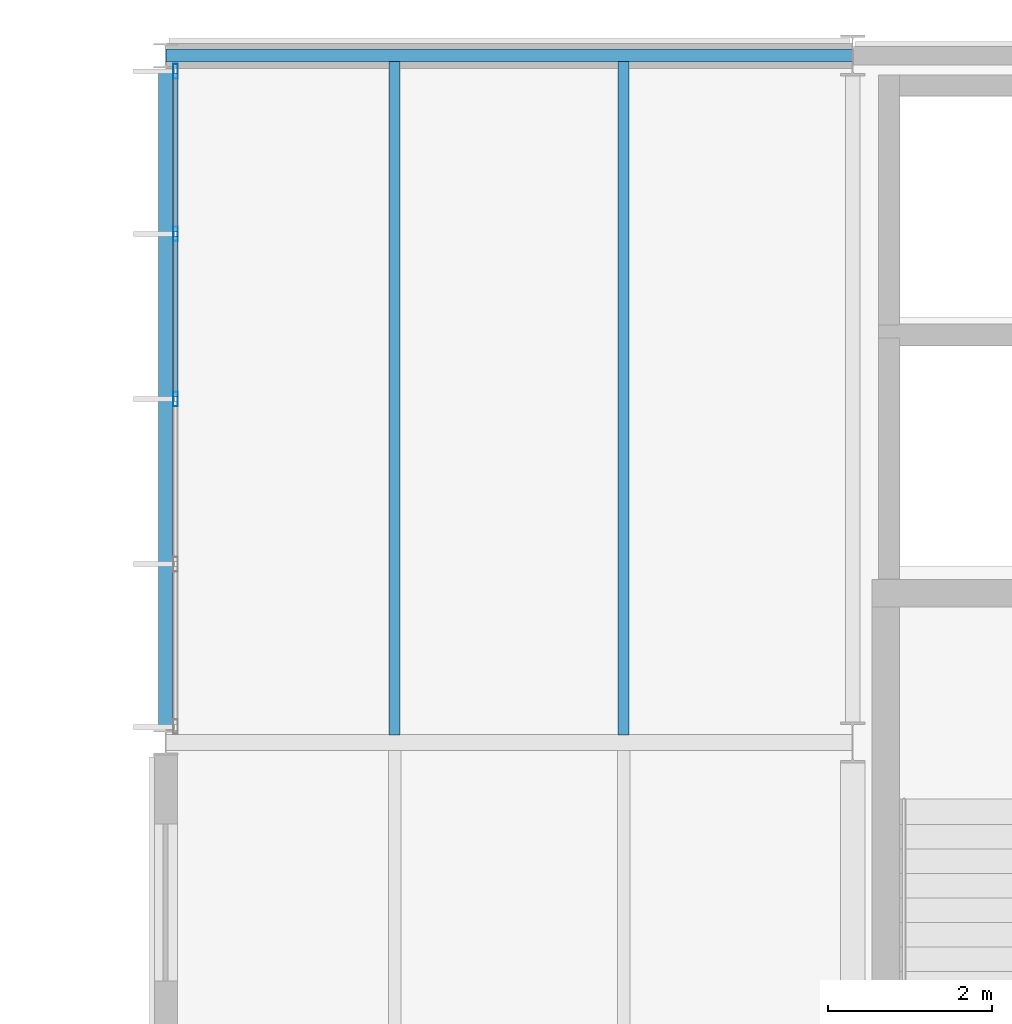
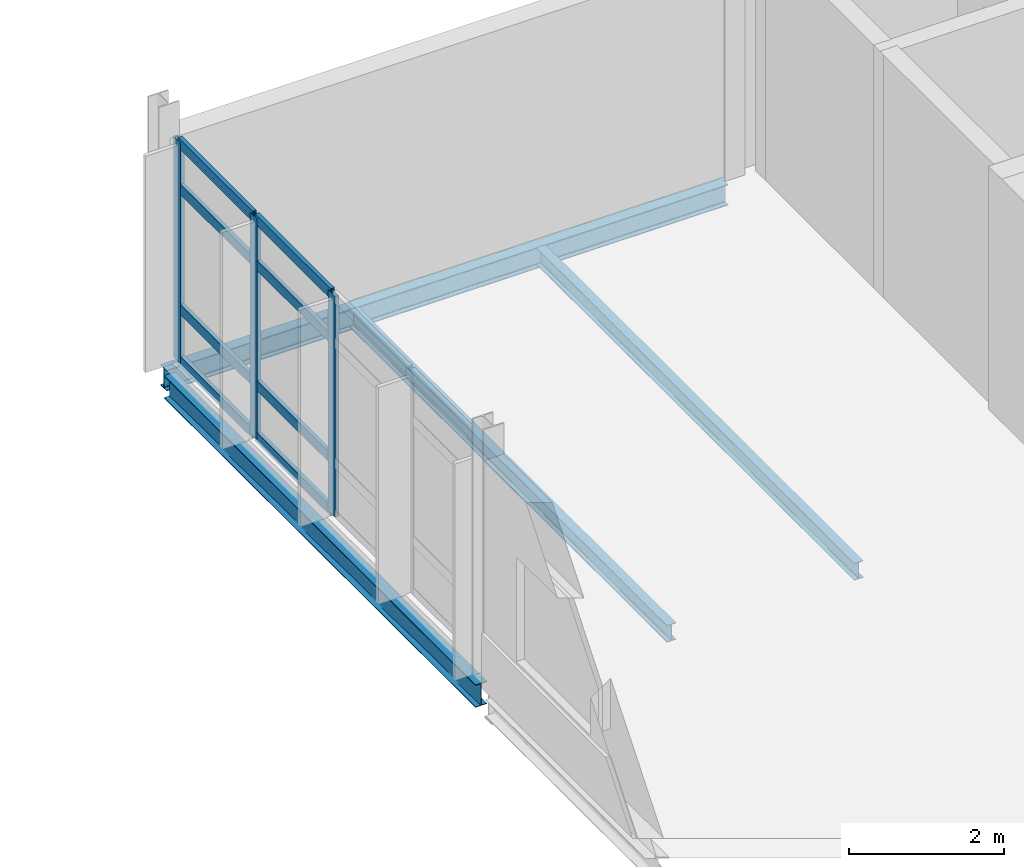
# One storey, part 50 of 151: 11 members, 4 beams, 1 element without a shape of its own.
"""IFC4 building model written with IfcOpenShell, lengths in metres."""

from ifc_helpers import new_model, si_unit, direction, frame, origin, origin_2d, place, context, subcontext, project, spatial, hollow_rectangle, i_section, extrude, material, material_profile, profile_set, type_object, element, aggregate, save


model = new_model("IFC4")

# Units and contexts
model_context = context("Model", 3, precision=1e-05, world=origin(), true_north=direction((0.0, 1.0)))
body_context = subcontext(model_context, "Body", "Model", "MODEL_VIEW")
ifc_project = project(units=[si_unit("LENGTHUNIT", "METRE"), si_unit("AREAUNIT", "SQUARE_METRE"), si_unit("VOLUMEUNIT", "CUBIC_METRE"), si_unit("PLANEANGLEUNIT", "RADIAN"), si_unit("MASSUNIT", "GRAM", prefix="KILO")], contexts=[model_context])

# Site, building, storey
site_placement = place(None, origin())
site = spatial("IfcSite", under=ifc_project, at=site_placement, CompositionType="ELEMENT")
building_placement = place(site_placement, origin())
building = spatial("IfcBuilding", under=site, at=building_placement, Name="Mersafa Astral City Hall", CompositionType="ELEMENT")
storey_placement = place(building_placement, frame((0.0, 0.0, 9.89990234375)))
storey = spatial("IfcBuildingStorey", under=building, at=storey_placement, Name="L02", CompositionType="ELEMENT", Elevation=9.89990234375)

# Curtain wall, members
ifc_material_1 = material(Name="Anodised bronze aluminium framing", Category="aluminium")
curtain_wall_type = type_object("IfcCurtainWallType", Name="ENV-CW-5", PredefinedType="USERDEFINED", material=ifc_material_1)
curtain_wall_placement = place(storey_placement, origin())
curtain_wall = element("IfcCurtainWall", 1, at=curtain_wall_placement, inside=storey, type_object=curtain_wall_type, Name="L02 Unitised solar curtain wall 130", ObjectType="UNITISED CURTAIN WALL", PredefinedType="USERDEFINED")
ifc_material_profile_1 = material_profile(ifc_material_1, hollow_rectangle(XDim=0.06005859375, YDim=0.179931640625, WallThickness=0.00390625, at=origin_2d()), Name="RHS 60x180x4")
ifc_profile_set_1 = profile_set([ifc_material_profile_1], Name="Anodised bronze aluminium framing")
member_type_1 = type_object("IfcMemberType", Name="ENV-CW-MUL-1", PredefinedType="MULLION", material=ifc_profile_set_1)
member_1_placement = place(storey_placement, frame((33.719970703125, 125.80810546875, -0.001953125), z_axis=(0.0, 0.0, 1.0), x_axis=(1.0, 0.0, 0.0)))
member_1 = element("IfcMember", 2, at=member_1_placement, type_object=member_type_1, Name="CW-5 mullion 1", PredefinedType="MULLION", context=body_context, shape_type="SweptSolid", body=[
    extrude(hollow_rectangle(XDim=0.06005859375, YDim=0.179931640625, WallThickness=0.00390625, at=origin_2d()), origin(), (0.0, 0.0, 1.0), 3.489013671875),
])
member_2_placement = place(storey_placement, frame((33.719970703125, 123.819091796875, -0.001953125), z_axis=(0.0, 0.0, 1.0), x_axis=(1.0, 0.0, 0.0)))
member_2 = element("IfcMember", 3, at=member_2_placement, type_object=member_type_1, Name="CW-5 mullion 2", PredefinedType="MULLION", context=body_context, shape_type="SweptSolid", body=[
    extrude(hollow_rectangle(XDim=0.06005859375, YDim=0.179931640625, WallThickness=0.00390625, at=origin_2d()), origin(), (0.0, 0.0, 1.0), 3.489013671875),
])
member_3_placement = place(storey_placement, frame((33.719970703125, 121.800048828125, -0.001953125), z_axis=(0.0, 0.0, 1.0), x_axis=(1.0, 0.0, 0.0)))
member_3 = element("IfcMember", 4, at=member_3_placement, type_object=member_type_1, Name="CW-5 mullion 3", PredefinedType="MULLION", context=body_context, shape_type="SweptSolid", body=[
    extrude(hollow_rectangle(XDim=0.06005859375, YDim=0.179931640625, WallThickness=0.00390625, at=origin_2d()), origin(), (0.0, 0.0, 1.0), 3.489013671875),
])
ifc_material_profile_2 = material_profile(ifc_material_1, hollow_rectangle(XDim=0.06005859375, YDim=0.159912109375, WallThickness=0.00390625, at=origin_2d()), Name="RHS 60x160x4")
ifc_profile_set_2 = profile_set([ifc_material_profile_2], Name="Anodised bronze aluminium framing")
member_type_2 = type_object("IfcMemberType", Name="ENV-CW-TRN-2", PredefinedType="USERDEFINED", material=ifc_profile_set_2)
member_4_placement = place(storey_placement, frame((33.719970703125, 125.778076171875, 0.028076171875), z_axis=(0.0, -1.0, 0.0), x_axis=(1.0, 0.0, 0.0)))
member_4 = element("IfcMember", 5, at=member_4_placement, type_object=member_type_2, Name="CW-5 transom 1.1", ObjectType="TRANSOM", PredefinedType="USERDEFINED", context=body_context, shape_type="SweptSolid", body=[
    extrude(hollow_rectangle(XDim=0.06005859375, YDim=0.159912109375, WallThickness=0.00390625, at=origin_2d()), origin(), (0.0, 0.0, 1.0), 1.928955078125),
])
member_5_placement = place(storey_placement, frame((33.719970703125, 125.778076171875, 0.85009765625), z_axis=(0.0, -1.0, 0.0), x_axis=(1.0, 0.0, 0.0)))
member_5 = element("IfcMember", 6, at=member_5_placement, type_object=member_type_2, Name="CW-5 transom 1.2", ObjectType="TRANSOM", PredefinedType="USERDEFINED", context=body_context, shape_type="SweptSolid", body=[
    extrude(hollow_rectangle(XDim=0.06005859375, YDim=0.159912109375, WallThickness=0.00390625, at=origin_2d()), origin(), (0.0, 0.0, 1.0), 1.928955078125),
])
member_6_placement = place(storey_placement, frame((33.719970703125, 125.778076171875, 2.75), z_axis=(0.0, -1.0, 0.0), x_axis=(1.0, 0.0, 0.0)))
member_6 = element("IfcMember", 7, at=member_6_placement, type_object=member_type_2, Name="CW-5 transom 1.3", ObjectType="TRANSOM", PredefinedType="USERDEFINED", context=body_context, shape_type="SweptSolid", body=[
    extrude(hollow_rectangle(XDim=0.06005859375, YDim=0.159912109375, WallThickness=0.00390625, at=origin_2d()), origin(), (0.0, 0.0, 1.0), 1.928955078125),
])
member_7_placement = place(storey_placement, frame((33.719970703125, 125.778076171875, 3.45703125), z_axis=(0.0, -1.0, 0.0), x_axis=(1.0, 0.0, 0.0)))
member_7 = element("IfcMember", 8, at=member_7_placement, type_object=member_type_2, Name="CW-5 transom 1.4", ObjectType="TRANSOM", PredefinedType="USERDEFINED", context=body_context, shape_type="SweptSolid", body=[
    extrude(hollow_rectangle(XDim=0.06005859375, YDim=0.159912109375, WallThickness=0.00390625, at=origin_2d()), origin(), (0.0, 0.0, 1.0), 1.928955078125),
])
member_8_placement = place(storey_placement, frame((33.719970703125, 123.7890625, 0.028076171875), z_axis=(0.0, -1.0, 0.0), x_axis=(1.0, 0.0, 0.0)))
member_8 = element("IfcMember", 9, at=member_8_placement, type_object=member_type_2, Name="CW-5 transom 2.1", ObjectType="TRANSOM", PredefinedType="USERDEFINED", context=body_context, shape_type="SweptSolid", body=[
    extrude(hollow_rectangle(XDim=0.06005859375, YDim=0.159912109375, WallThickness=0.00390625, at=origin_2d()), origin(), (0.0, 0.0, 1.0), 1.958984375),
])
member_9_placement = place(storey_placement, frame((33.719970703125, 123.7890625, 0.85009765625), z_axis=(0.0, -1.0, 0.0), x_axis=(1.0, 0.0, 0.0)))
member_9 = element("IfcMember", 10, at=member_9_placement, type_object=member_type_2, Name="CW-5 transom 2.2", ObjectType="TRANSOM", PredefinedType="USERDEFINED", context=body_context, shape_type="SweptSolid", body=[
    extrude(hollow_rectangle(XDim=0.06005859375, YDim=0.159912109375, WallThickness=0.00390625, at=origin_2d()), origin(), (0.0, 0.0, 1.0), 1.958984375),
])
member_10_placement = place(storey_placement, frame((33.719970703125, 123.7890625, 2.75), z_axis=(0.0, -1.0, 0.0), x_axis=(1.0, 0.0, 0.0)))
member_10 = element("IfcMember", 11, at=member_10_placement, type_object=member_type_2, Name="CW-5 transom 2.3", ObjectType="TRANSOM", PredefinedType="USERDEFINED", context=body_context, shape_type="SweptSolid", body=[
    extrude(hollow_rectangle(XDim=0.06005859375, YDim=0.159912109375, WallThickness=0.00390625, at=origin_2d()), origin(), (0.0, 0.0, 1.0), 1.958984375),
])
member_11_placement = place(storey_placement, frame((33.719970703125, 123.7890625, 3.45703125), z_axis=(0.0, -1.0, 0.0), x_axis=(1.0, 0.0, 0.0)))
member_11 = element("IfcMember", 12, at=member_11_placement, type_object=member_type_2, Name="CW-5 transom 2.4", ObjectType="TRANSOM", PredefinedType="USERDEFINED", context=body_context, shape_type="SweptSolid", body=[
    extrude(hollow_rectangle(XDim=0.06005859375, YDim=0.159912109375, WallThickness=0.00390625, at=origin_2d()), origin(), (0.0, 0.0, 1.0), 1.958984375),
])
aggregate(curtain_wall, [member_1, member_2, member_3, member_4, member_5, member_6, member_7, member_8, member_9, member_10, member_11])

# Beams
ifc_material_2 = material(Name="Steel S355", Category="steel")
ifc_material_profile_3 = material_profile(ifc_material_2, i_section(OverallWidth=0.135009765625, OverallDepth=0.27001953125, WebThickness=0.006591796875, FlangeThickness=0.01025390625, FilletRadius=0.014892578125, at=origin_2d()), Name="IPE 270")
ifc_profile_set_3 = profile_set([ifc_material_profile_3], Name="Steel S355")
beam_type_1 = type_object("IfcBeamType", Name="STR-BM-JOIST-IPE270", PredefinedType="JOIST", material=ifc_profile_set_3)
for number, where, z_axis, x_axis, name in (
    (13, (36.39990234375, 117.695068359375, -0.3349609375), (0.0, 1.0, 0.0), (-1.0, 0.0, 0.0), "L02 Composite secondary floor joist 420"),
    (14, (39.199951171875, 117.695068359375, -0.3349609375), (0.0, 1.0, 0.0), (-1.0, 0.0, 0.0), "L02 Composite secondary floor joist 421"),
):
    element("IfcBeam", number, at=place(storey_placement, frame(where, z_axis=z_axis, x_axis=x_axis)), inside=storey, type_object=beam_type_1, Name=name, PredefinedType="JOIST", context=body_context, shape_type="SweptSolid", body=[
        extrude(i_section(OverallWidth=0.135009765625, OverallDepth=0.27001953125, WebThickness=0.006591796875, FlangeThickness=0.01025390625, FilletRadius=0.014892578125, at=origin_2d()), origin(), (0.0, 0.0, 1.0), 8.22998046875),
    ])
ifc_material_profile_4 = material_profile(ifc_material_2, i_section(OverallWidth=0.159912109375, OverallDepth=0.330078125, WebThickness=0.007568359375, FlangeThickness=0.011474609375, FilletRadius=0.01806640625, at=origin_2d()), Name="IPE 330")
ifc_profile_set_4 = profile_set([ifc_material_profile_4], Name="Steel S355")
beam_type_2 = type_object("IfcBeamType", Name="STR-BM-SPANDREL-IPE330", PredefinedType="SPANDREL", material=ifc_profile_set_4)
beam_1_placement = place(storey_placement, frame((33.60302734375, 126.0, -0.364990234375), z_axis=(1.0, 0.0, 0.0), x_axis=(0.0, 1.0, 0.0)))
element("IfcBeam", 15, at=beam_1_placement, inside=storey, type_object=beam_type_2, Name="L02 Primary girder X 4-15", PredefinedType="SPANDREL", context=body_context, shape_type="SweptSolid", body=[
    extrude(i_section(OverallWidth=0.159912109375, OverallDepth=0.330078125, WebThickness=0.007568359375, FlangeThickness=0.011474609375, FilletRadius=0.01806640625, at=origin_2d()), origin(), (0.0, 0.0, 1.0), 8.39404296875),
])
ifc_material_profile_5 = material_profile(ifc_material_2, i_section(OverallWidth=0.169921875, OverallDepth=0.360107421875, WebThickness=0.008056640625, FlangeThickness=0.0126953125, FilletRadius=0.01806640625, at=origin_2d()), Name="IPE 360")
ifc_profile_set_5 = profile_set([ifc_material_profile_5], Name="Steel S355")
beam_type_3 = type_object("IfcBeamType", Name="STR-BM-SPANDREL-IPE360", PredefinedType="SPANDREL", material=ifc_profile_set_5)
beam_2_placement = place(storey_placement, frame((33.60009765625, 117.77490234375, -0.3798828125), z_axis=(0.0, 1.0, 0.0), x_axis=(-1.0, 0.0, 0.0)))
element("IfcBeam", 16, at=beam_2_placement, inside=storey, type_object=beam_type_3, Name="L02 Primary girder Y 4-14", PredefinedType="SPANDREL", context=body_context, shape_type="SweptSolid", body=[
    extrude(i_section(OverallWidth=0.169921875, OverallDepth=0.360107421875, WebThickness=0.008056640625, FlangeThickness=0.0126953125, FilletRadius=0.01806640625, at=origin_2d()), origin(), (0.0, 0.0, 1.0), 8.06005859375),
])

save(model, "model.ifc")
